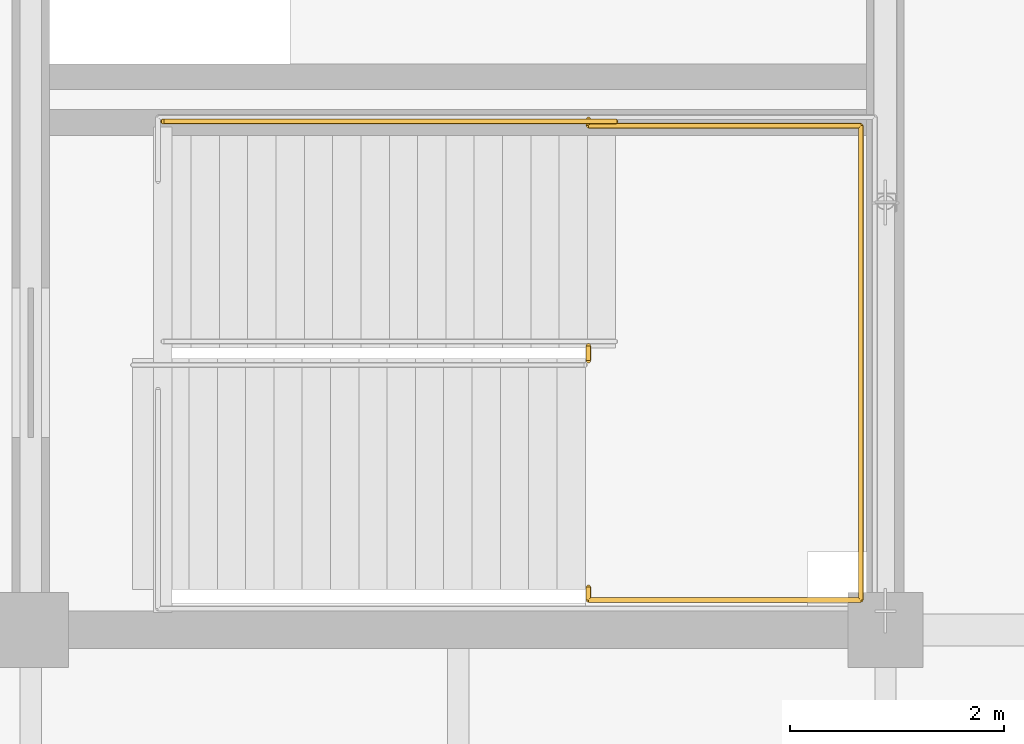
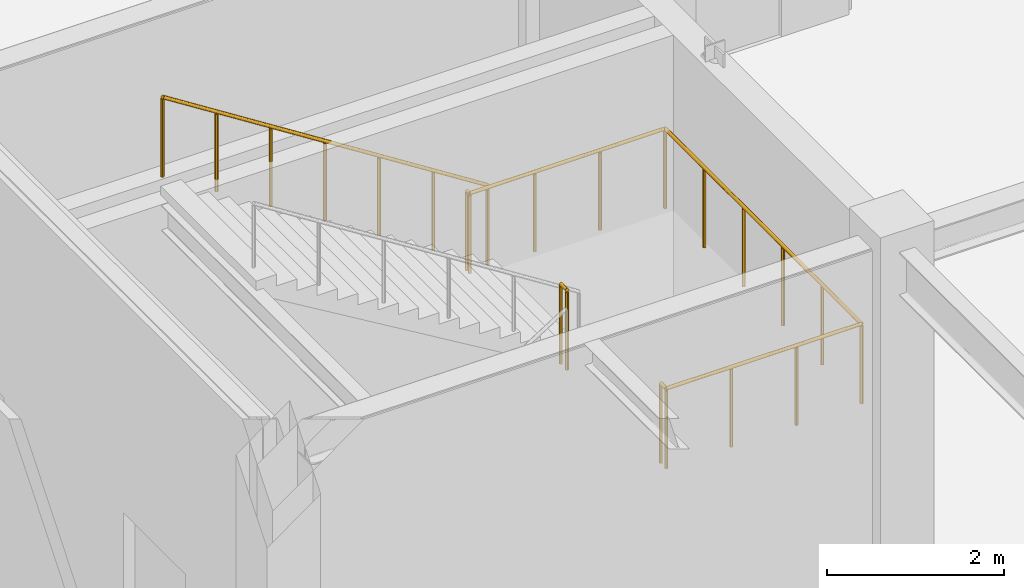
# One storey, part 105 of 119: 3 railings.
"""IFC4 building model written with IfcOpenShell, lengths in metres."""

from ifc_helpers import new_model, si_unit, direction, frame, origin, origin_2d, place, context, subcontext, project, spatial, circle, extrude, material, type_object, element, save


model = new_model("IFC4")

# Units and contexts
model_context = context("Model", 3, precision=1e-05, world=origin(), true_north=direction((0.0, 1.0)))
body_context = subcontext(model_context, "Body", "Model", "MODEL_VIEW")
ifc_project = project(units=[si_unit("LENGTHUNIT", "METRE"), si_unit("AREAUNIT", "SQUARE_METRE"), si_unit("VOLUMEUNIT", "CUBIC_METRE"), si_unit("PLANEANGLEUNIT", "RADIAN"), si_unit("MASSUNIT", "GRAM", prefix="KILO")], contexts=[model_context])

# Site, building, storey
site_placement = place(None, origin())
site = spatial("IfcSite", under=ifc_project, at=site_placement, CompositionType="ELEMENT")
building_placement = place(site_placement, origin())
building = spatial("IfcBuilding", under=site, at=building_placement, Name="Zhaolan Boulevard Law Courts", CompositionType="ELEMENT")
storey_placement = place(building_placement, origin())
storey = spatial("IfcBuildingStorey", under=building, at=storey_placement, Name="L00", CompositionType="ELEMENT", Elevation=0.0)

# Railings
ifc_material = material(Name="Powder-coated steel baluster guardrail", Category="steel")
railing_type = type_object("IfcRailingType", Name="STAIR WELL GUARDRAIL 1120", PredefinedType="GUARDRAIL", material=ifc_material)
railing_1_placement = place(storey_placement, frame((121.219970703125, 14.39990234375, 2.699951171875)))
element("IfcRailing", 1, at=railing_1_placement, inside=storey, type_object=railing_type, Name="Half-Landing Guardrail SG-ST05-L00-M", PredefinedType="GUARDRAIL", context=body_context, shape_type="SweptSolid", body=[
    extrude(circle(Radius=0.02392578125, at=origin_2d()), frame((0.0, 0.0, 1.09619140625), z_axis=(0.0, -1.0, 0.0), x_axis=(1.0, 0.0, 0.0)), (0.0, 0.0, 1.0), 0.119873046875),
    extrude(circle(Radius=0.02392578125, at=origin_2d()), frame((0.0, -0.119873046875, 1.09619140625), z_axis=(1.0, 0.0, 0.0), x_axis=(0.0, 1.0, 0.0)), (0.0, 0.0, 1.0), 2.550048828125),
    extrude(circle(Radius=0.02392578125, at=origin_2d()), frame((2.550048828125, -0.119873046875, 1.09619140625), z_axis=(0.0, 1.0, 0.0), x_axis=(-1.0, 0.0, 0.0)), (0.0, 0.0, 1.0), 4.43994140625),
    extrude(circle(Radius=0.02392578125, at=origin_2d()), frame((2.550048828125, 4.320068359375, 1.09619140625), z_axis=(-1.0, 0.0, 0.0), x_axis=(0.0, -1.0, 0.0)), (0.0, 0.0, 1.0), 2.550048828125),
    extrude(circle(Radius=0.02392578125, at=origin_2d()), frame((0.0, 4.320068359375, 1.09619140625), z_axis=(0.0, 1.0, 0.0), x_axis=(-1.0, 0.0, 0.0)), (0.0, 0.0, 1.0), 0.06005859375),
    extrude(circle(Radius=0.02099609375, at=origin_2d()), origin(), (0.0, 0.0, 1.0), 1.072021484375),
    extrude(circle(Radius=0.02099609375, at=origin_2d()), frame((0.0, -0.119873046875, 0.0)), (0.0, 0.0, 1.0), 1.072021484375),
    extrude(circle(Radius=0.02099609375, at=origin_2d()), frame((0.85009765625, -0.119873046875, 0.0)), (0.0, 0.0, 1.0), 1.072021484375),
    extrude(circle(Radius=0.02099609375, at=origin_2d()), frame((1.699951171875, -0.119873046875, 0.0)), (0.0, 0.0, 1.0), 1.072021484375),
    extrude(circle(Radius=0.02099609375, at=origin_2d()), frame((2.550048828125, -0.119873046875, 0.0)), (0.0, 0.0, 1.0), 1.072021484375),
    extrude(circle(Radius=0.02099609375, at=origin_2d()), frame((2.550048828125, 0.76806640625, 0.0)), (0.0, 0.0, 1.0), 1.072021484375),
    extrude(circle(Radius=0.02099609375, at=origin_2d()), frame((2.550048828125, 1.656005859375, 0.0)), (0.0, 0.0, 1.0), 1.072021484375),
    extrude(circle(Radius=0.02099609375, at=origin_2d()), frame((2.550048828125, 2.544189453125, 0.0)), (0.0, 0.0, 1.0), 1.072021484375),
    extrude(circle(Radius=0.02099609375, at=origin_2d()), frame((2.550048828125, 3.43212890625, 0.0)), (0.0, 0.0, 1.0), 1.072021484375),
    extrude(circle(Radius=0.02099609375, at=origin_2d()), frame((2.550048828125, 4.320068359375, 0.0)), (0.0, 0.0, 1.0), 1.072021484375),
    extrude(circle(Radius=0.02099609375, at=origin_2d()), frame((1.699951171875, 4.320068359375, 0.0)), (0.0, 0.0, 1.0), 1.072021484375),
    extrude(circle(Radius=0.02099609375, at=origin_2d()), frame((0.85009765625, 4.320068359375, 0.0)), (0.0, 0.0, 1.0), 1.072021484375),
    extrude(circle(Radius=0.02099609375, at=origin_2d()), frame((0.0, 4.320068359375, 0.0)), (0.0, 0.0, 1.0), 1.072021484375),
    extrude(circle(Radius=0.02099609375, at=origin_2d()), frame((0.0, 4.380126953125, 0.0)), (0.0, 0.0, 1.0), 1.072021484375),
])
railing_2_placement = place(storey_placement, frame((121.219970703125, 16.52001953125, 2.699951171875)))
element("IfcRailing", 2, at=railing_2_placement, inside=storey, type_object=railing_type, Name="Half-Landing Well Guardrail SG-ST05-L00-W", PredefinedType="GUARDRAIL", context=body_context, shape_type="SweptSolid", body=[
    extrude(circle(Radius=0.02392578125, at=origin_2d()), frame((0.0, 0.0, 1.09619140625), z_axis=(0.0, 1.0, 0.0), x_axis=(-1.0, 0.0, 0.0)), (0.0, 0.0, 1.0), 0.139892578125),
    extrude(circle(Radius=0.02099609375, at=origin_2d()), origin(), (0.0, 0.0, 1.0), 1.072021484375),
    extrude(circle(Radius=0.02099609375, at=origin_2d()), frame((0.0, 0.139892578125, 0.0)), (0.0, 0.0, 1.0), 1.072021484375),
])
railing_3_placement = place(storey_placement, frame((121.47509765625, 18.760009765625, 2.699951171875)))
element("IfcRailing", 3, at=railing_3_placement, inside=storey, type_object=railing_type, Name="Flight Guardrail SG-ST05-L00-F2", PredefinedType="GUARDRAIL", context=body_context, shape_type="SweptSolid", body=[
    extrude(circle(Radius=0.02392578125, at=origin_2d()), frame((0.0, 0.0, 1.09619140625), z_axis=(-0.843501457581, 0.0, 0.537126885437), x_axis=(0.0, -1.0, 0.0)), (0.0, 0.0, 1.0), 5.026611328125),
    extrude(circle(Radius=0.02099609375, at=origin_2d()), origin(), (0.0, 0.0, 1.0), 1.072021484375),
    extrude(circle(Radius=0.02099609375, at=origin_2d()), frame((-0.70654296875, 0.0, 0.449951171875)), (0.0, 0.0, 1.0), 1.072021484375),
    extrude(circle(Radius=0.02099609375, at=origin_2d()), frame((-1.413330078125, 0.0, 0.89990234375)), (0.0, 0.0, 1.0), 1.072021484375),
    extrude(circle(Radius=0.02099609375, at=origin_2d()), frame((-2.1201171875, 0.0, 1.35009765625)), (0.0, 0.0, 1.0), 1.072021484375),
    extrude(circle(Radius=0.02099609375, at=origin_2d()), frame((-2.82666015625, 0.0, 1.800048828125)), (0.0, 0.0, 1.0), 1.072021484375),
    extrude(circle(Radius=0.02099609375, at=origin_2d()), frame((-3.533203125, 0.0, 2.25)), (0.0, 0.0, 1.0), 1.072021484375),
    extrude(circle(Radius=0.02099609375, at=origin_2d()), frame((-4.239990234375, 0.0, 2.699951171875)), (0.0, 0.0, 1.0), 1.072021484375),
])

save(model, "model.ifc")
